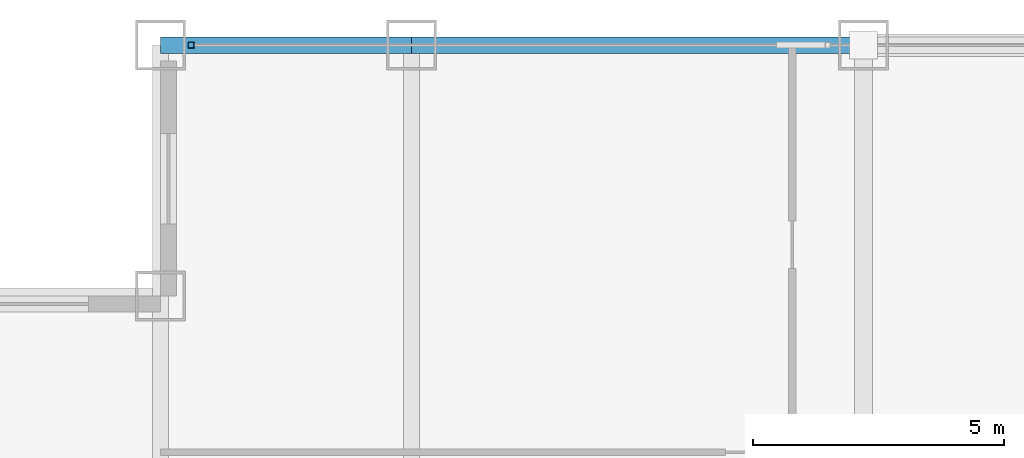
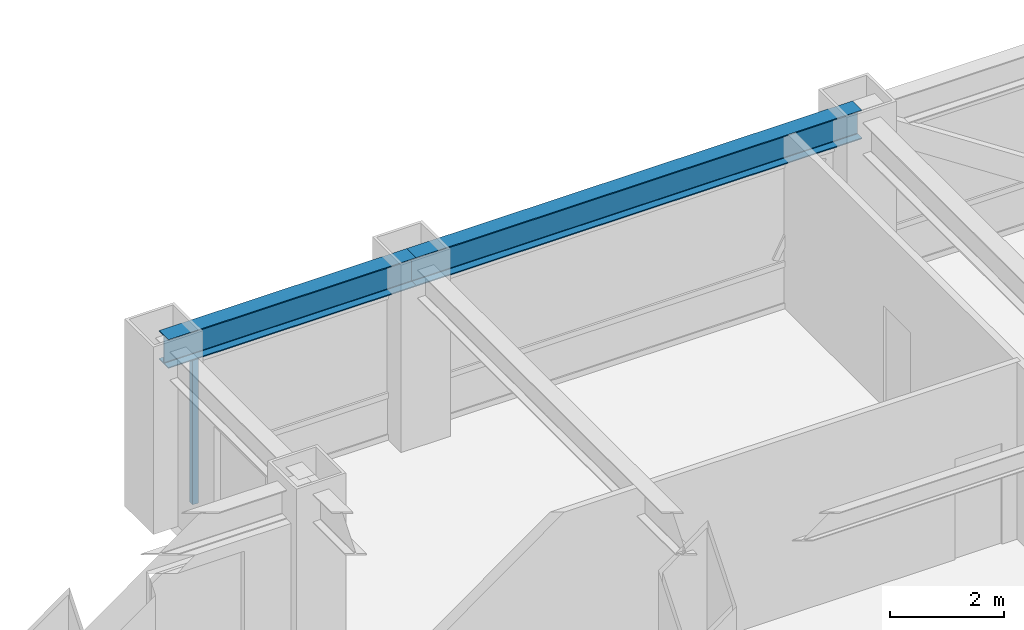
# One storey, part 14 of 25: 2 beams, 1 member, 1 element without a shape of its own.
"""IFC4 building model written with IfcOpenShell, lengths in metres."""

from ifc_helpers import new_model, si_unit, direction, frame, origin, origin_2d, place, context, subcontext, project, spatial, hollow_rectangle, i_section, extrude, source, transform, mapped, material, material_profile, profile_set, type_object, element, aggregate, save


model = new_model("IFC4")

# Units and contexts
model_context = context("Model", 3, precision=1e-05, world=origin(), true_north=direction((0.0, 1.0)))
body_context = subcontext(model_context, "Body", "Model", "MODEL_VIEW")
ifc_project = project(units=[si_unit("LENGTHUNIT", "METRE"), si_unit("AREAUNIT", "SQUARE_METRE"), si_unit("VOLUMEUNIT", "CUBIC_METRE"), si_unit("PLANEANGLEUNIT", "RADIAN"), si_unit("MASSUNIT", "GRAM", prefix="KILO")], contexts=[model_context])

# Site, building, storey
site_placement = place(None, origin())
site = spatial("IfcSite", under=ifc_project, at=site_placement, CompositionType="ELEMENT")
building_placement = place(site_placement, origin())
building = spatial("IfcBuilding", under=site, at=building_placement, Name="Khorayat Bourse Tower", CompositionType="ELEMENT")
storey_placement = place(building_placement, frame((0.0, 0.0, 231.10009765625)))
storey = spatial("IfcBuildingStorey", under=building, at=storey_placement, Name="L54", CompositionType="ELEMENT", Elevation=231.10009765625)

# Beams
ifc_material_1 = material(Name="Steel ASTM A992 Grade 50", Category="steel")
ifc_material_profile_1 = material_profile(ifc_material_1, i_section(OverallWidth=0.324951171875, OverallDepth=0.615966796875, WebThickness=0.013916015625, FlangeThickness=0.021484375, FilletRadius=0.01611328125, at=origin_2d()), Name="W610X174")
ifc_profile_set_1 = profile_set([ifc_material_profile_1], Name="Steel ASTM A992 Grade 50")
beam_type = type_object("IfcBeamType", Name="BM-SPAN-610", PredefinedType="SPANDREL", material=ifc_profile_set_1)
shared_shape_1 = source(origin(), body_context, "Body", "SweptSolid", [
    extrude(i_section(OverallWidth=0.324951171875, OverallDepth=0.615966796875, WebThickness=0.013916015625, FlangeThickness=0.021484375, FilletRadius=0.01611328125, at=origin_2d()), origin(), (0.0, 0.0, 1.0), 9.0),
])
beam_1_placement = place(storey_placement, frame((-20.0, 30.0, 3.471923828125), z_axis=(1.0, 0.0, 0.0), x_axis=(0.0, 1.0, 0.0)))
element("IfcBeam", 1, at=beam_1_placement, inside=storey, type_object=beam_type, Name="L54 BM-SPAN-610 BM-L54-SPN-050", PredefinedType="SPANDREL", context=body_context, shape_type="MappedRepresentation", body=[
    mapped(shared_shape_1, transform((0.0, 0.0, 0.0), scale=1.0)),
])
shared_shape_2 = source(origin(), body_context, "Body", "SweptSolid", [
    extrude(i_section(OverallWidth=0.324951171875, OverallDepth=0.615966796875, WebThickness=0.013916015625, FlangeThickness=0.021484375, FilletRadius=0.01611328125, at=origin_2d()), origin(), (0.0, 0.0, 1.0), 5.0),
])
beam_2_placement = place(storey_placement, frame((-25.0, 30.0, 3.471923828125), z_axis=(1.0, 0.0, 0.0), x_axis=(0.0, 1.0, 0.0)))
element("IfcBeam", 2, at=beam_2_placement, inside=storey, type_object=beam_type, Name="L54 BM-SPAN-610 BM-L54-SPN-051", PredefinedType="SPANDREL", context=body_context, shape_type="MappedRepresentation", body=[
    mapped(shared_shape_2, transform((0.0, 0.0, 0.0), scale=1.0)),
])

# Curtain wall, member
ifc_material_2 = material(Name="Aluminium EN AW-6063 T6", Category="aluminium")
curtain_wall_type = type_object("IfcCurtainWallType", Name="CW-SYS-03", PredefinedType="NOTDEFINED", material=ifc_material_2)
curtain_wall_placement = place(storey_placement, origin())
curtain_wall = element("IfcCurtainWall", 3, at=curtain_wall_placement, inside=storey, type_object=curtain_wall_type, Name="L54 Curtain Wall CW-L54-N1", PredefinedType="NOTDEFINED")
ifc_material_profile_2 = material_profile(ifc_material_2, hollow_rectangle(XDim=0.1201171875, YDim=0.1201171875, WallThickness=0.0048828125, at=origin_2d()), Name="ALU 120x120x5")
ifc_profile_set_2 = profile_set([ifc_material_profile_2], Name="Aluminium EN AW-6063 T6")
member_type = type_object("IfcMemberType", Name="CWM-VERT-120", PredefinedType="MULLION", material=ifc_profile_set_2)
shared_shape_3 = source(origin(), body_context, "Body", "SweptSolid", [
    extrude(hollow_rectangle(XDim=0.1201171875, YDim=0.1201171875, WallThickness=0.0048828125, at=origin_2d()), origin(), (0.0, 0.0, 1.0), 3.1298828125),
])
member_placement = place(storey_placement, frame((-24.389892578125, 30.0, 0.0), z_axis=(0.0, 0.0, 1.0), x_axis=(0.0, 1.0, 0.0)))
member = element("IfcMember", 4, at=member_placement, type_object=member_type, Name="CW-L54-N1 Vertical Mullion 1", PredefinedType="MULLION", context=body_context, shape_type="MappedRepresentation", body=[
    mapped(shared_shape_3, transform((0.0, 0.0, 0.0), scale=1.0)),
])
aggregate(curtain_wall, [member])

save(model, "model.ifc")
